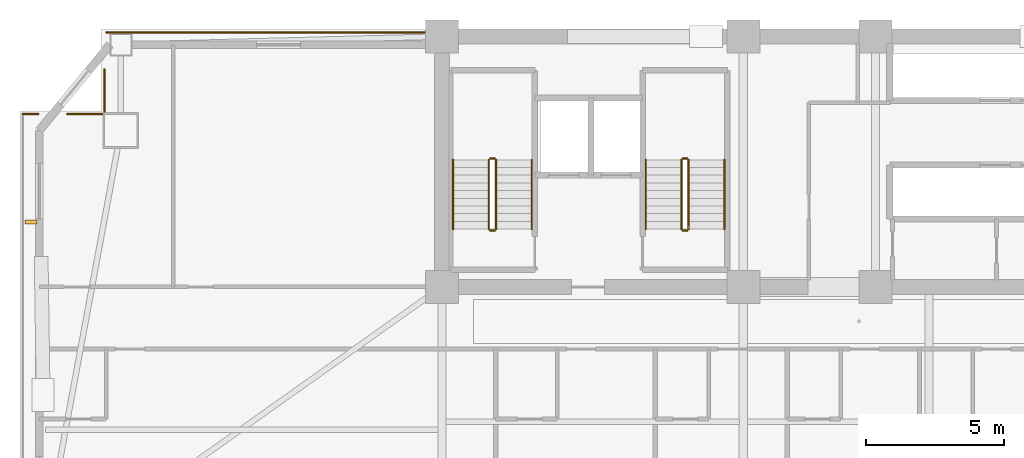
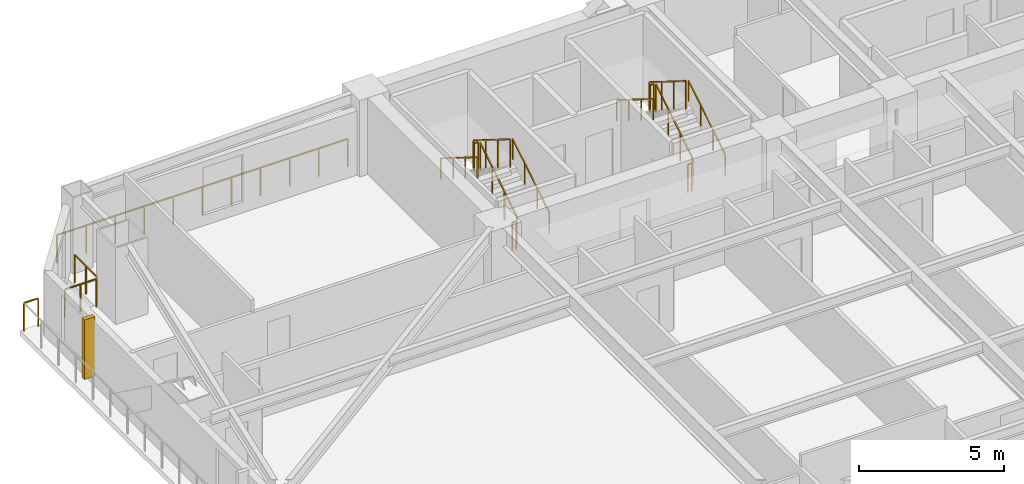
# One storey, part 16 of 17: 16 railings, 1 shading device.
"""IFC4 building model written with IfcOpenShell, lengths in metres."""

from ifc_helpers import new_model, si_unit, direction, frame, origin, origin_2d, place, context, subcontext, project, spatial, rectangle, extrude, source, transform, mapped, material, type_object, element, save


model = new_model("IFC4")

# Units and contexts
model_context = context("Model", 3, precision=1e-05, world=origin(), true_north=direction((0.0, 1.0)))
body_context = subcontext(model_context, "Body", "Model", "MODEL_VIEW")
ifc_project = project(units=[si_unit("LENGTHUNIT", "METRE"), si_unit("AREAUNIT", "SQUARE_METRE"), si_unit("VOLUMEUNIT", "CUBIC_METRE"), si_unit("PLANEANGLEUNIT", "RADIAN"), si_unit("MASSUNIT", "GRAM", prefix="KILO")], contexts=[model_context])

# Site, building, storey
site_placement = place(None, origin())
site = spatial("IfcSite", under=ifc_project, at=site_placement, CompositionType="ELEMENT")
building_placement = place(site_placement, origin())
building = spatial("IfcBuilding", under=site, at=building_placement, Name="Giltprow Tower", CompositionType="ELEMENT")
storey_placement = place(building_placement, frame((0.0, 0.0, 141.199951171875)))
storey = spatial("IfcBuildingStorey", under=building, at=storey_placement, Name="L34", CompositionType="ELEMENT", Elevation=141.199951171875)

# Railings
ifc_material = material(Name="Anodized bronze", Category="metal")
railing_type_1 = type_object("IfcRailingType", Name="RAIL-BALC-GUARD-1200", PredefinedType="BALUSTRADE", material=ifc_material)
railing_1_placement = place(storey_placement, frame((4.614013671875, 43.73388671875, 0.0)))
element("IfcRailing", 1, at=railing_1_placement, inside=storey, type_object=railing_type_1, Name="L34 Corner Apron Edge Balustrade 6", PredefinedType="BALUSTRADE", context=body_context, shape_type="SweptSolid", body=[
    extrude(rectangle(XDim=0.048095703125, YDim=0.048095703125, at=origin_2d()), frame((0.0, 0.0, 1.17578125), z_axis=(1.0, 0.0, 0.0), x_axis=(0.0, 1.0, 0.0)), (0.0, 0.0, 1.0), 0.56298828125),
    extrude(rectangle(XDim=0.0419921875, YDim=0.0419921875, at=origin_2d()), origin(), (0.0, 0.0, 1.0), 1.15185546875),
    extrude(rectangle(XDim=0.0419921875, YDim=0.0419921875, at=origin_2d()), frame((0.56298828125, 0.0, 0.0)), (0.0, 0.0, 1.0), 1.15185546875),
])
railing_2_placement = place(storey_placement, frame((6.239013671875, 43.73388671875, 0.0)))
element("IfcRailing", 2, at=railing_2_placement, inside=storey, type_object=railing_type_1, Name="L34 Corner Apron Edge Balustrade 7", PredefinedType="BALUSTRADE", context=body_context, shape_type="SweptSolid", body=[
    extrude(rectangle(XDim=0.048095703125, YDim=0.048095703125, at=origin_2d()), frame((0.0, 0.0, 1.17578125), z_axis=(1.0, 0.0, 0.0), x_axis=(0.0, 1.0, 0.0)), (0.0, 0.0, 1.0), 1.2548828125),
    extrude(rectangle(XDim=0.0419921875, YDim=0.0419921875, at=origin_2d()), origin(), (0.0, 0.0, 1.0), 1.15185546875),
    extrude(rectangle(XDim=0.0419921875, YDim=0.0419921875, at=origin_2d()), frame((0.62744140625, 0.0, 0.0)), (0.0, 0.0, 1.0), 1.15185546875),
    extrude(rectangle(XDim=0.0419921875, YDim=0.0419921875, at=origin_2d()), frame((1.2548828125, 0.0, 0.0)), (0.0, 0.0, 1.0), 1.15185546875),
])
railing_3_placement = place(storey_placement, frame((7.5791015625, 43.819091796875, 0.0)))
element("IfcRailing", 3, at=railing_3_placement, inside=storey, type_object=railing_type_1, Name="L34 Corner Apron Edge Balustrade 8", PredefinedType="BALUSTRADE", context=body_context, shape_type="SweptSolid", body=[
    extrude(rectangle(XDim=0.048095703125, YDim=0.048095703125, at=origin_2d()), frame((0.0, 0.0, 1.17578125), z_axis=(0.0, 1.0, 0.0), x_axis=(-1.0, 0.0, 0.0)), (0.0, 0.0, 1.0), 1.54296875),
    extrude(rectangle(XDim=0.0419921875, YDim=0.0419921875, at=origin_2d()), origin(), (0.0, 0.0, 1.0), 1.15185546875),
    extrude(rectangle(XDim=0.0419921875, YDim=0.0419921875, at=origin_2d()), frame((0.0, 0.771484375, 0.0)), (0.0, 0.0, 1.0), 1.15185546875),
    extrude(rectangle(XDim=0.0419921875, YDim=0.0419921875, at=origin_2d()), frame((0.0, 1.54296875, 0.0)), (0.0, 0.0, 1.0), 1.15185546875),
])
railing_4_placement = place(storey_placement, frame((7.64306640625, 46.698974609375, 0.0)))
element("IfcRailing", 4, at=railing_4_placement, inside=storey, type_object=railing_type_1, Name="L34 Corner Apron Edge Balustrade 9", PredefinedType="BALUSTRADE", context=body_context, shape_type="SweptSolid", body=[
    extrude(rectangle(XDim=0.048095703125, YDim=0.048095703125, at=origin_2d()), frame((0.0, 0.0, 1.17578125), z_axis=(1.0, 0.0, 0.0), x_axis=(0.0, 1.0, 0.0)), (0.0, 0.0, 1.0), 11.572021484375),
    extrude(rectangle(XDim=0.0419921875, YDim=0.0419921875, at=origin_2d()), origin(), (0.0, 0.0, 1.0), 1.15185546875),
    extrude(rectangle(XDim=0.0419921875, YDim=0.0419921875, at=origin_2d()), frame((1.1572265625, 0.0, 0.0)), (0.0, 0.0, 1.0), 1.15185546875),
    extrude(rectangle(XDim=0.0419921875, YDim=0.0419921875, at=origin_2d()), frame((2.314453125, 0.0, 0.0)), (0.0, 0.0, 1.0), 1.15185546875),
    extrude(rectangle(XDim=0.0419921875, YDim=0.0419921875, at=origin_2d()), frame((3.4716796875, 0.0, 0.0)), (0.0, 0.0, 1.0), 1.15185546875),
    extrude(rectangle(XDim=0.0419921875, YDim=0.0419921875, at=origin_2d()), frame((4.62890625, 0.0, 0.0)), (0.0, 0.0, 1.0), 1.15185546875),
    extrude(rectangle(XDim=0.0419921875, YDim=0.0419921875, at=origin_2d()), frame((5.7861328125, 0.0, 0.0)), (0.0, 0.0, 1.0), 1.15185546875),
    extrude(rectangle(XDim=0.0419921875, YDim=0.0419921875, at=origin_2d()), frame((6.943115234375, 0.0, 0.0)), (0.0, 0.0, 1.0), 1.15185546875),
    extrude(rectangle(XDim=0.0419921875, YDim=0.0419921875, at=origin_2d()), frame((8.100341796875, 0.0, 0.0)), (0.0, 0.0, 1.0), 1.15185546875),
    extrude(rectangle(XDim=0.0419921875, YDim=0.0419921875, at=origin_2d()), frame((9.257568359375, 0.0, 0.0)), (0.0, 0.0, 1.0), 1.15185546875),
    extrude(rectangle(XDim=0.0419921875, YDim=0.0419921875, at=origin_2d()), frame((10.414794921875, 0.0, 0.0)), (0.0, 0.0, 1.0), 1.15185546875),
    extrude(rectangle(XDim=0.0419921875, YDim=0.0419921875, at=origin_2d()), frame((11.572021484375, 0.0, 0.0)), (0.0, 0.0, 1.0), 1.15185546875),
])
railing_type_2 = type_object("IfcRailingType", Name="RAIL-STAIR-GUARD-1200", PredefinedType="GUARDRAIL", material=ifc_material)
railing_5_placement = place(storey_placement, frame((21.81005859375, 39.550048828125, 0.175048828125)))
element("IfcRailing", 5, at=railing_5_placement, inside=storey, type_object=railing_type_2, Name="L34 ST-1 stair guard 1", PredefinedType="GUARDRAIL", context=body_context, shape_type="SweptSolid", body=[
    extrude(rectangle(XDim=0.048095703125, YDim=0.048095703125, at=origin_2d()), frame((0.0, 0.0, 1.17578125), z_axis=(0.0, 0.848007534815, 0.529984170421), x_axis=(-1.0, 0.0, 0.0)), (0.0, 0.0, 1.0), 2.9716796875),
    extrude(rectangle(XDim=0.0419921875, YDim=0.0419921875, at=origin_2d()), origin(), (0.0, 0.0, 1.0), 1.15185546875),
    extrude(rectangle(XDim=0.0419921875, YDim=0.0419921875, at=origin_2d()), frame((0.0, 0.840087890625, 0.52490234375)), (0.0, 0.0, 1.0), 1.15185546875),
    extrude(rectangle(XDim=0.0419921875, YDim=0.0419921875, at=origin_2d()), frame((0.0, 1.679931640625, 1.050048828125)), (0.0, 0.0, 1.0), 1.15185546875),
    extrude(rectangle(XDim=0.0419921875, YDim=0.0419921875, at=origin_2d()), frame((0.0, 2.52001953125, 1.574951171875)), (0.0, 0.0, 1.0), 1.15185546875),
])
railing_6_placement = place(storey_placement, frame((21.760009765625, 42.1201171875, 1.75)))
element("IfcRailing", 6, at=railing_6_placement, inside=storey, type_object=railing_type_2, Name="L34 ST-1 stair guard 2", PredefinedType="GUARDRAIL", context=body_context, shape_type="SweptSolid", body=[
    extrude(rectangle(XDim=0.048095703125, YDim=0.048095703125, at=origin_2d()), frame((0.0, 0.0, 1.17578125), z_axis=(-1.0, 0.0, 0.0), x_axis=(0.0, -1.0, 0.0)), (0.0, 0.0, 1.0), 0.159912109375),
    extrude(rectangle(XDim=0.0419921875, YDim=0.0419921875, at=origin_2d()), origin(), (0.0, 0.0, 1.0), 1.15185546875),
    extrude(rectangle(XDim=0.0419921875, YDim=0.0419921875, at=origin_2d()), frame((-0.159912109375, 0.0, 0.0)), (0.0, 0.0, 1.0), 1.15185546875),
])
railing_7_placement = place(storey_placement, frame((21.550048828125, 42.070068359375, 1.925048828125)))
element("IfcRailing", 7, at=railing_7_placement, inside=storey, type_object=railing_type_2, Name="L34 ST-1 stair guard 3", PredefinedType="GUARDRAIL", context=body_context, shape_type="SweptSolid", body=[
    extrude(rectangle(XDim=0.048095703125, YDim=0.048095703125, at=origin_2d()), frame((0.0, 0.0, 1.17578125), z_axis=(0.0, -0.848007534815, 0.529984170421), x_axis=(1.0, 0.0, 0.0)), (0.0, 0.0, 1.0), 2.9716796875),
    extrude(rectangle(XDim=0.0419921875, YDim=0.0419921875, at=origin_2d()), origin(), (0.0, 0.0, 1.0), 1.15185546875),
    extrude(rectangle(XDim=0.0419921875, YDim=0.0419921875, at=origin_2d()), frame((0.0, -0.840087890625, 0.52490234375)), (0.0, 0.0, 1.0), 1.15185546875),
    extrude(rectangle(XDim=0.0419921875, YDim=0.0419921875, at=origin_2d()), frame((0.0, -1.679931640625, 1.050048828125)), (0.0, 0.0, 1.0), 1.15185546875),
    extrude(rectangle(XDim=0.0419921875, YDim=0.0419921875, at=origin_2d()), frame((0.0, -2.52001953125, 1.574951171875)), (0.0, 0.0, 1.0), 1.15185546875),
])
railing_8_placement = place(storey_placement, frame((21.760009765625, 39.5, 0.0)))
element("IfcRailing", 8, at=railing_8_placement, inside=storey, type_object=railing_type_2, Name="L34 ST-1 stair guard 4", PredefinedType="GUARDRAIL", context=body_context, shape_type="SweptSolid", body=[
    extrude(rectangle(XDim=0.048095703125, YDim=0.048095703125, at=origin_2d()), frame((0.0, 0.0, 1.17578125), z_axis=(-1.0, 0.0, 0.0), x_axis=(0.0, -1.0, 0.0)), (0.0, 0.0, 1.0), 0.159912109375),
    extrude(rectangle(XDim=0.0419921875, YDim=0.0419921875, at=origin_2d()), origin(), (0.0, 0.0, 1.0), 1.15185546875),
    extrude(rectangle(XDim=0.0419921875, YDim=0.0419921875, at=origin_2d()), frame((-0.159912109375, 0.0, 0.0)), (0.0, 0.0, 1.0), 1.15185546875),
])
railing_9_placement = place(storey_placement, frame((28.81005859375, 39.550048828125, 0.175048828125)))
element("IfcRailing", 9, at=railing_9_placement, inside=storey, type_object=railing_type_2, Name="L34 ST-2 stair guard 1", PredefinedType="GUARDRAIL", context=body_context, shape_type="SweptSolid", body=[
    extrude(rectangle(XDim=0.048095703125, YDim=0.048095703125, at=origin_2d()), frame((0.0, 0.0, 1.17578125), z_axis=(0.0, 0.848007534815, 0.529984170421), x_axis=(-1.0, 0.0, 0.0)), (0.0, 0.0, 1.0), 2.9716796875),
    extrude(rectangle(XDim=0.0419921875, YDim=0.0419921875, at=origin_2d()), origin(), (0.0, 0.0, 1.0), 1.15185546875),
    extrude(rectangle(XDim=0.0419921875, YDim=0.0419921875, at=origin_2d()), frame((0.0, 0.840087890625, 0.52490234375)), (0.0, 0.0, 1.0), 1.15185546875),
    extrude(rectangle(XDim=0.0419921875, YDim=0.0419921875, at=origin_2d()), frame((0.0, 1.679931640625, 1.050048828125)), (0.0, 0.0, 1.0), 1.15185546875),
    extrude(rectangle(XDim=0.0419921875, YDim=0.0419921875, at=origin_2d()), frame((0.0, 2.52001953125, 1.574951171875)), (0.0, 0.0, 1.0), 1.15185546875),
])
railing_10_placement = place(storey_placement, frame((28.760009765625, 42.1201171875, 1.75)))
element("IfcRailing", 10, at=railing_10_placement, inside=storey, type_object=railing_type_2, Name="L34 ST-2 stair guard 2", PredefinedType="GUARDRAIL", context=body_context, shape_type="SweptSolid", body=[
    extrude(rectangle(XDim=0.048095703125, YDim=0.048095703125, at=origin_2d()), frame((0.0, 0.0, 1.17578125), z_axis=(-1.0, 0.0, 0.0), x_axis=(0.0, -1.0, 0.0)), (0.0, 0.0, 1.0), 0.159912109375),
    extrude(rectangle(XDim=0.0419921875, YDim=0.0419921875, at=origin_2d()), origin(), (0.0, 0.0, 1.0), 1.15185546875),
    extrude(rectangle(XDim=0.0419921875, YDim=0.0419921875, at=origin_2d()), frame((-0.159912109375, 0.0, 0.0)), (0.0, 0.0, 1.0), 1.15185546875),
])
railing_11_placement = place(storey_placement, frame((28.550048828125, 42.070068359375, 1.925048828125)))
element("IfcRailing", 11, at=railing_11_placement, inside=storey, type_object=railing_type_2, Name="L34 ST-2 stair guard 3", PredefinedType="GUARDRAIL", context=body_context, shape_type="SweptSolid", body=[
    extrude(rectangle(XDim=0.048095703125, YDim=0.048095703125, at=origin_2d()), frame((0.0, 0.0, 1.17578125), z_axis=(0.0, -0.848007534815, 0.529984170421), x_axis=(1.0, 0.0, 0.0)), (0.0, 0.0, 1.0), 2.9716796875),
    extrude(rectangle(XDim=0.0419921875, YDim=0.0419921875, at=origin_2d()), origin(), (0.0, 0.0, 1.0), 1.15185546875),
    extrude(rectangle(XDim=0.0419921875, YDim=0.0419921875, at=origin_2d()), frame((0.0, -0.840087890625, 0.52490234375)), (0.0, 0.0, 1.0), 1.15185546875),
    extrude(rectangle(XDim=0.0419921875, YDim=0.0419921875, at=origin_2d()), frame((0.0, -1.679931640625, 1.050048828125)), (0.0, 0.0, 1.0), 1.15185546875),
    extrude(rectangle(XDim=0.0419921875, YDim=0.0419921875, at=origin_2d()), frame((0.0, -2.52001953125, 1.574951171875)), (0.0, 0.0, 1.0), 1.15185546875),
])
railing_12_placement = place(storey_placement, frame((28.760009765625, 39.5, 0.0)))
element("IfcRailing", 12, at=railing_12_placement, inside=storey, type_object=railing_type_2, Name="L34 ST-2 stair guard 4", PredefinedType="GUARDRAIL", context=body_context, shape_type="SweptSolid", body=[
    extrude(rectangle(XDim=0.048095703125, YDim=0.048095703125, at=origin_2d()), frame((0.0, 0.0, 1.17578125), z_axis=(-1.0, 0.0, 0.0), x_axis=(0.0, -1.0, 0.0)), (0.0, 0.0, 1.0), 0.159912109375),
    extrude(rectangle(XDim=0.0419921875, YDim=0.0419921875, at=origin_2d()), origin(), (0.0, 0.0, 1.0), 1.15185546875),
    extrude(rectangle(XDim=0.0419921875, YDim=0.0419921875, at=origin_2d()), frame((-0.159912109375, 0.0, 0.0)), (0.0, 0.0, 1.0), 1.15185546875),
])
railing_type_3 = type_object("IfcRailingType", Name="RAIL-STAIR-HAND-900", PredefinedType="HANDRAIL", material=ifc_material)
railing_13_placement = place(storey_placement, frame((23.110107421875, 39.550048828125, 0.175048828125)))
element("IfcRailing", 13, at=railing_13_placement, inside=storey, type_object=railing_type_3, Name="L34 ST-1 stair handrail 1", PredefinedType="HANDRAIL", context=body_context, shape_type="SweptSolid", body=[
    extrude(rectangle(XDim=0.048095703125, YDim=0.048095703125, at=origin_2d()), frame((0.0, 0.0, 0.8759765625), z_axis=(0.0, 0.848007534815, 0.529984170421), x_axis=(-1.0, 0.0, 0.0)), (0.0, 0.0, 1.0), 2.9716796875),
    extrude(rectangle(XDim=0.0419921875, YDim=0.0419921875, at=origin_2d()), origin(), (0.0, 0.0, 1.0), 0.851806640625),
    extrude(rectangle(XDim=0.0419921875, YDim=0.0419921875, at=origin_2d()), frame((0.0, 0.840087890625, 0.52490234375)), (0.0, 0.0, 1.0), 0.851806640625),
    extrude(rectangle(XDim=0.0419921875, YDim=0.0419921875, at=origin_2d()), frame((0.0, 1.679931640625, 1.050048828125)), (0.0, 0.0, 1.0), 0.851806640625),
    extrude(rectangle(XDim=0.0419921875, YDim=0.0419921875, at=origin_2d()), frame((0.0, 2.52001953125, 1.574951171875)), (0.0, 0.0, 1.0), 0.851806640625),
])
railing_14_placement = place(storey_placement, frame((20.25, 42.070068359375, 1.925048828125)))
element("IfcRailing", 14, at=railing_14_placement, inside=storey, type_object=railing_type_3, Name="L34 ST-1 stair handrail 2", PredefinedType="HANDRAIL", context=body_context, shape_type="SweptSolid", body=[
    extrude(rectangle(XDim=0.048095703125, YDim=0.048095703125, at=origin_2d()), frame((0.0, 0.0, 0.8759765625), z_axis=(0.0, -0.848007534815, 0.529984170421), x_axis=(1.0, 0.0, 0.0)), (0.0, 0.0, 1.0), 2.9716796875),
    extrude(rectangle(XDim=0.0419921875, YDim=0.0419921875, at=origin_2d()), origin(), (0.0, 0.0, 1.0), 0.851806640625),
    extrude(rectangle(XDim=0.0419921875, YDim=0.0419921875, at=origin_2d()), frame((0.0, -0.840087890625, 0.52490234375)), (0.0, 0.0, 1.0), 0.851806640625),
    extrude(rectangle(XDim=0.0419921875, YDim=0.0419921875, at=origin_2d()), frame((0.0, -1.679931640625, 1.050048828125)), (0.0, 0.0, 1.0), 0.851806640625),
    extrude(rectangle(XDim=0.0419921875, YDim=0.0419921875, at=origin_2d()), frame((0.0, -2.52001953125, 1.574951171875)), (0.0, 0.0, 1.0), 0.851806640625),
])
railing_15_placement = place(storey_placement, frame((30.110107421875, 39.550048828125, 0.175048828125)))
element("IfcRailing", 15, at=railing_15_placement, inside=storey, type_object=railing_type_3, Name="L34 ST-2 stair handrail 1", PredefinedType="HANDRAIL", context=body_context, shape_type="SweptSolid", body=[
    extrude(rectangle(XDim=0.048095703125, YDim=0.048095703125, at=origin_2d()), frame((0.0, 0.0, 0.8759765625), z_axis=(0.0, 0.848007534815, 0.529984170421), x_axis=(-1.0, 0.0, 0.0)), (0.0, 0.0, 1.0), 2.9716796875),
    extrude(rectangle(XDim=0.0419921875, YDim=0.0419921875, at=origin_2d()), origin(), (0.0, 0.0, 1.0), 0.851806640625),
    extrude(rectangle(XDim=0.0419921875, YDim=0.0419921875, at=origin_2d()), frame((0.0, 0.840087890625, 0.52490234375)), (0.0, 0.0, 1.0), 0.851806640625),
    extrude(rectangle(XDim=0.0419921875, YDim=0.0419921875, at=origin_2d()), frame((0.0, 1.679931640625, 1.050048828125)), (0.0, 0.0, 1.0), 0.851806640625),
    extrude(rectangle(XDim=0.0419921875, YDim=0.0419921875, at=origin_2d()), frame((0.0, 2.52001953125, 1.574951171875)), (0.0, 0.0, 1.0), 0.851806640625),
])
railing_16_placement = place(storey_placement, frame((27.25, 42.070068359375, 1.925048828125)))
element("IfcRailing", 16, at=railing_16_placement, inside=storey, type_object=railing_type_3, Name="L34 ST-2 stair handrail 2", PredefinedType="HANDRAIL", context=body_context, shape_type="SweptSolid", body=[
    extrude(rectangle(XDim=0.048095703125, YDim=0.048095703125, at=origin_2d()), frame((0.0, 0.0, 0.8759765625), z_axis=(0.0, -0.848007534815, 0.529984170421), x_axis=(1.0, 0.0, 0.0)), (0.0, 0.0, 1.0), 2.9716796875),
    extrude(rectangle(XDim=0.0419921875, YDim=0.0419921875, at=origin_2d()), origin(), (0.0, 0.0, 1.0), 0.851806640625),
    extrude(rectangle(XDim=0.0419921875, YDim=0.0419921875, at=origin_2d()), frame((0.0, -0.840087890625, 0.52490234375)), (0.0, 0.0, 1.0), 0.851806640625),
    extrude(rectangle(XDim=0.0419921875, YDim=0.0419921875, at=origin_2d()), frame((0.0, -1.679931640625, 1.050048828125)), (0.0, 0.0, 1.0), 0.851806640625),
    extrude(rectangle(XDim=0.0419921875, YDim=0.0419921875, at=origin_2d()), frame((0.0, -2.52001953125, 1.574951171875)), (0.0, 0.0, 1.0), 0.851806640625),
])

# Shading device
shading_device_type = type_object("IfcShadingDeviceType", Name="SHD-FIN-420", PredefinedType="USERDEFINED", material=ifc_material)
shared_shape = source(origin(), body_context, "Body", "SweptSolid", [
    extrude(rectangle(XDim=0.419921875, YDim=0.159912109375, at=origin_2d()), origin(), (0.0, 0.0, 1.0), 2.5),
])
shading_device_placement = place(storey_placement, frame((4.9140625, 39.81005859375, 0.35009765625), z_axis=(0.0, 0.0, 1.0), x_axis=(1.0, 0.0, 0.0)))
element("IfcShadingDevice", 17, at=shading_device_placement, inside=storey, type_object=shading_device_type, Name="L34 W Bronze Vertical Fin 2-2", ObjectType="FIN", PredefinedType="USERDEFINED", context=body_context, shape_type="MappedRepresentation", body=[
    mapped(shared_shape, transform((0.0, 0.0, 0.0), x_axis=(1.0, 0.0, 0.0), y_axis=(0.0, 1.0, 0.0), z_axis=(0.0, 0.0, 1.0), scale=1.0)),
])

save(model, "model.ifc")
